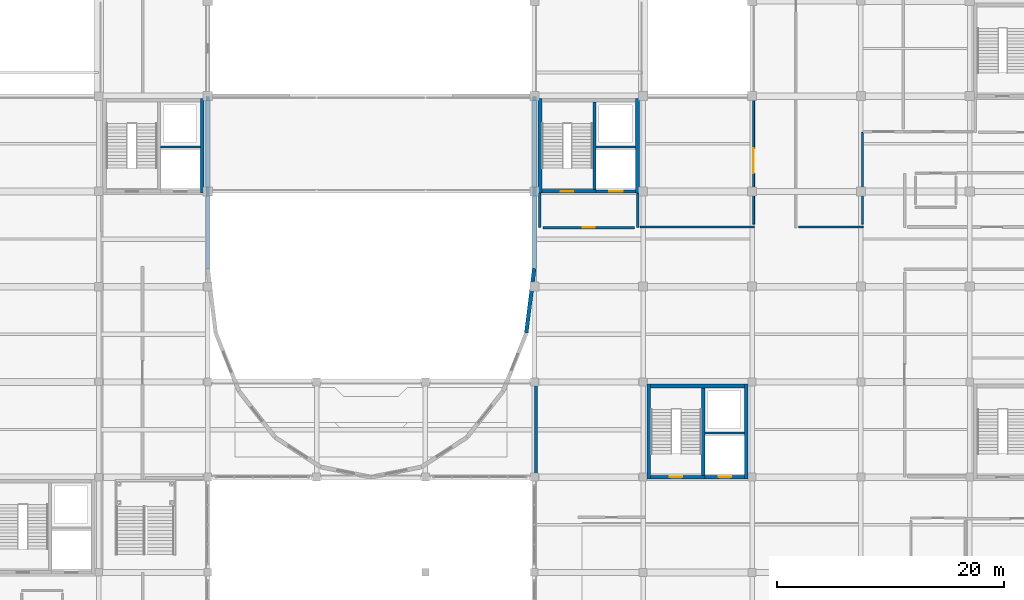
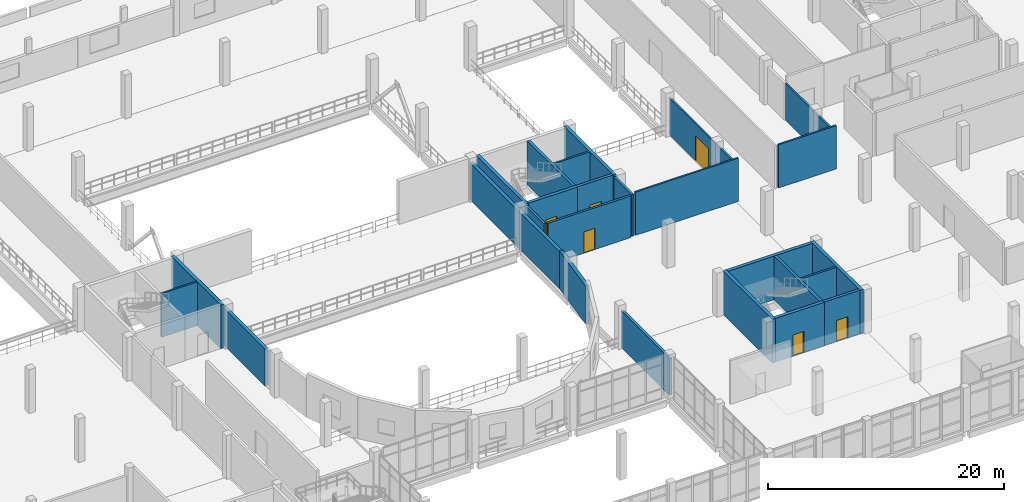
# One storey, part 90 of 102: 26 walls, 6 doors, 6 openings.
"""IFC4 building model written with IfcOpenShell, lengths in metres."""

from ifc_helpers import new_model, si_unit, direction, frame, frame_2d, origin, place, context, subcontext, project, spatial, rectangle, extrude, material, layer, layer_set, type_object, element, fill, save


model = new_model("IFC4")

# Units and contexts
model_context = context("Model", 3, precision=1e-05, world=origin(), true_north=direction((0.0, 1.0)))
body_context = subcontext(model_context, "Body", "Model", "MODEL_VIEW")
ifc_project = project(units=[si_unit("LENGTHUNIT", "METRE"), si_unit("AREAUNIT", "SQUARE_METRE"), si_unit("VOLUMEUNIT", "CUBIC_METRE"), si_unit("PLANEANGLEUNIT", "RADIAN"), si_unit("MASSUNIT", "GRAM", prefix="KILO")], contexts=[model_context])

# Site, building, storey
site_placement = place(None, origin())
site = spatial("IfcSite", under=ifc_project, at=site_placement, CompositionType="ELEMENT")
building_placement = place(site_placement, origin())
building = spatial("IfcBuilding", under=site, at=building_placement, Name="Lornevale Opera House", CompositionType="ELEMENT")
storey_placement = place(building_placement, frame((0.0, 0.0, 5.39990234375)))
storey = spatial("IfcBuildingStorey", under=building, at=storey_placement, Name="L02", CompositionType="ELEMENT", Elevation=5.39990234375)

# Wall
ifc_material_1 = material(Name="Acoustic Mineral-Core Gypsum Partition", Category="gypsum")
ifc_layer_1 = layer(ifc_material_1, 0.25)
ifc_layer_set_1 = layer_set([ifc_layer_1], Name="Acoustic Mineral-Core Gypsum Partition")
wall_type_1 = type_object("IfcWallType", Name="Auditorium Box-in-Box Liner 250", PredefinedType="SOLIDWALL", material=ifc_layer_set_1)
wall_1_placement = place(storey_placement, frame((96.139892578125, 33.69091796875, 0.0), z_axis=(0.0, 0.0, 1.0), x_axis=(0.0, 1.0, 0.0)))
element("IfcWall", 1, at=wall_1_placement, inside=storey, type_object=wall_type_1, Name="L02 Partition WL-INT-0773", PredefinedType="SOLIDWALL", context=body_context, shape_type="SweptSolid", body=[
    extrude(rectangle(XDim=8.218017578125, YDim=0.25, at=frame_2d((4.10888671875, 0.0))), origin(), (0.0, 0.0, 1.0), 3.820068359375),
])

# Wall, opening, door
ifc_material_2 = material(Name="Concrete 40 MPa (CSA A23.1 C-1)", Category="concrete")
ifc_layer_2 = layer(ifc_material_2, 0.320068359375)
ifc_layer_set_2 = layer_set([ifc_layer_2], Name="Concrete 40 MPa (CSA A23.1 C-1)")
wall_type_2 = type_object("IfcWallType", Name="Core Shear Wall 320", PredefinedType="SHEAR", material=ifc_layer_set_2)
wall_2_placement = place(storey_placement, frame((106.260009765625, 33.60009765625, 0.0), z_axis=(0.0, 0.0, 1.0), x_axis=(1.0, 0.0, 0.0)))
wall_2 = element("IfcWall", 2, at=wall_2_placement, inside=storey, type_object=wall_type_2, Name="South-East Foyer Core Core Shear Wall 320 WL-COR-0057", PredefinedType="SHEAR", context=body_context, shape_type="SweptSolid", body=[
    extrude(rectangle(XDim=4.780029296875, YDim=0.320068359375, at=frame_2d((2.39013671875, 0.0))), origin(), (0.0, 0.0, 1.0), 4.52001953125),
])
opening_1_placement = place(wall_2_placement, frame((1.68994140625, 0.0, 0.0)))
opening_1 = element("IfcOpeningElement", 3, at=opening_1_placement, cuts=wall_2, Name="Opening DR-T11", PredefinedType="OPENING", context=body_context, shape_type="SweptSolid", body=[
    extrude(rectangle(XDim=1.10009765625, YDim=2.199951171875, at=frame_2d((0.550048828125, 1.10009765625))), frame((0.0, 0.169921875, 0.0), z_axis=(0.0, -1.0, 0.0), x_axis=(1.0, 0.0, 0.0)), (0.0, 0.0, 1.0), 0.340087890625),
])
ifc_material_3 = material(Name="Painted Hollow Metal Door Steel", Category="steel")
ifc_layer_3 = layer(ifc_material_3, 2.199951171875)
ifc_layer_set_3 = layer_set([ifc_layer_3], Name="Painted Hollow Metal Door Steel")
door_type_1 = type_object("IfcDoorType", Name="Protected Exit Stair Door R 1100x2200", OperationType="NOTDEFINED", PredefinedType="DOOR", material=ifc_layer_set_3)
door_1_placement = place(opening_1_placement, origin())
door_1 = element("IfcDoor", 4, at=door_1_placement, inside=storey, type_object=door_type_1, Name="C2 Stair Door L02", OperationType="SINGLE_SWING_RIGHT", OverallHeight=2.199951171875, OverallWidth=1.10009765625, PredefinedType="DOOR", context=body_context, shape_type="SweptSolid", body=[
    extrude(rectangle(XDim=1.10009765625, YDim=2.199951171875, at=frame_2d((0.550048828125, 1.10009765625))), frame((0.0, 0.02490234375, 0.0), z_axis=(0.0, -1.0, 0.0), x_axis=(1.0, 0.0, 0.0)), (0.0, 0.0, 1.0), 0.050048828125),
])
fill(opening_1, door_1)

# Walls
wall_3_placement = place(storey_placement, frame((114.5400390625, 41.639892578125, 0.0), z_axis=(0.0, 0.0, 1.0), x_axis=(-1.0, 0.0, 0.0)))
element("IfcWall", 5, at=wall_3_placement, inside=storey, type_object=wall_type_2, Name="South-East Foyer Core Core Shear Wall 320 WL-COR-0059", PredefinedType="SHEAR", context=body_context, shape_type="SweptSolid", body=[
    extrude(rectangle(XDim=8.280029296875, YDim=0.320068359375, at=frame_2d((4.14013671875, 0.0))), origin(), (0.0, 0.0, 1.0), 4.52001953125),
])
for number, where, z_axis, x_axis, name in (
    (6, (106.10009765625, 41.800048828125, 0.0), (0.0, 0.0, 1.0), (0.0, -1.0, 0.0), "South-East Foyer Core Core Shear Wall 320 WL-COR-0060"),
    (7, (114.699951171875, 33.43994140625, 0.0), (0.0, 0.0, 1.0), (0.0, 1.0, 0.0), "South-East Foyer Core Core Shear Wall 320 WL-COR-0061"),
    (8, (66.699951171875, 58.639892578125, 0.0), (0.0, 0.0, 1.0), (0.0, 1.0, 0.0), "Auditorium West Tier Core Core Shear Wall 320 WL-COR-0173"),
):
    element("IfcWall", number, at=place(storey_placement, frame(where, z_axis=z_axis, x_axis=x_axis)), inside=storey, type_object=wall_type_2, Name=name, PredefinedType="SHEAR", context=body_context, shape_type="SweptSolid", body=[
        extrude(rectangle(XDim=8.360107421875, YDim=0.320068359375, at=frame_2d((4.18017578125, 0.0))), origin(), (0.0, 0.0, 1.0), 4.52001953125),
    ])

# Wall, opening, door
wall_4_placement = place(storey_placement, frame((96.659912109375, 58.800048828125, 0.0), z_axis=(0.0, 0.0, 1.0), x_axis=(1.0, 0.0, 0.0)))
wall_4 = element("IfcWall", 9, at=wall_4_placement, inside=storey, type_object=wall_type_2, Name="Stagehouse Firefighter Core West Core Shear Wall 320 WL-COR-0218", PredefinedType="SHEAR", context=body_context, shape_type="SweptSolid", body=[
    extrude(rectangle(XDim=4.780029296875, YDim=0.320068359375, at=frame_2d((2.39013671875, 0.0))), origin(), (0.0, 0.0, 1.0), 4.52001953125),
])
opening_2_placement = place(wall_4_placement, frame((1.68994140625, 0.0, 0.0)))
opening_2 = element("IfcOpeningElement", 10, at=opening_2_placement, cuts=wall_4, Name="Opening DR-T11", PredefinedType="OPENING", context=body_context, shape_type="SweptSolid", body=[
    extrude(rectangle(XDim=1.10009765625, YDim=2.199951171875, at=frame_2d((0.550048828125, 1.10009765625))), frame((0.0, 0.169921875, 0.0), z_axis=(0.0, -1.0, 0.0), x_axis=(1.0, 0.0, 0.0)), (0.0, 0.0, 1.0), 0.340087890625),
])
door_2_placement = place(opening_2_placement, origin())
door_2 = element("IfcDoor", 11, at=door_2_placement, inside=storey, type_object=door_type_1, Name="C6 Stair Door L02", OperationType="SINGLE_SWING_RIGHT", OverallHeight=2.199951171875, OverallWidth=1.10009765625, PredefinedType="DOOR", context=body_context, shape_type="SweptSolid", body=[
    extrude(rectangle(XDim=1.10009765625, YDim=2.199951171875, at=frame_2d((0.550048828125, 1.10009765625))), frame((0.0, 0.02490234375, 0.0), z_axis=(0.0, -1.0, 0.0), x_axis=(1.0, 0.0, 0.0)), (0.0, 0.0, 1.0), 0.050048828125),
])
fill(opening_2, door_2)

# Walls
for number, where, z_axis, x_axis, name in (
    (12, (96.5, 67.0, 0.0), (0.0, 0.0, 1.0), (0.0, -1.0, 0.0), "Stagehouse Firefighter Core West Core Shear Wall 320 WL-COR-0221"),
    (13, (105.10009765625, 58.639892578125, 0.0), (0.0, 0.0, 1.0), (0.0, 1.0, 0.0), "Stagehouse Firefighter Core West Core Shear Wall 320 WL-COR-0222"),
):
    element("IfcWall", number, at=place(storey_placement, frame(where, z_axis=z_axis, x_axis=x_axis)), inside=storey, type_object=wall_type_2, Name=name, PredefinedType="SHEAR", context=body_context, shape_type="SweptSolid", body=[
        extrude(rectangle(XDim=8.360107421875, YDim=0.320068359375, at=frame_2d((4.18017578125, 0.0))), origin(), (0.0, 0.0, 1.0), 4.52001953125),
    ])
ifc_layer_4 = layer(ifc_material_1, 0.1650390625)
ifc_layer_set_4 = layer_set([ifc_layer_4], Name="Acoustic Mineral-Core Gypsum Partition")
wall_type_3 = type_object("IfcWallType", Name="Corridor Rated Partition 165", PredefinedType="PARTITIONING", material=ifc_layer_set_4)
wall_5_placement = place(storey_placement, frame((105.35009765625, 55.659912109375, 0.0), z_axis=(0.0, 0.0, 1.0), x_axis=(1.0, 0.0, 0.0)))
element("IfcWall", 14, at=wall_5_placement, inside=storey, type_object=wall_type_3, Name="L02 Partition WL-INT-0774", PredefinedType="PARTITIONING", context=body_context, shape_type="SweptSolid", body=[
    extrude(rectangle(XDim=10.0498046875, YDim=0.1650390625, at=frame_2d((5.02490234375, 0.0))), origin(), (0.0, 0.0, 1.0), 4.47998046875),
])

# Wall, opening, door
wall_6_placement = place(storey_placement, frame((115.340087890625, 55.909912109375, 0.0), z_axis=(0.0, 0.0, 1.0), x_axis=(0.0, 1.0, 0.0)))
wall_6 = element("IfcWall", 15, at=wall_6_placement, inside=storey, type_object=wall_type_3, Name="L02 Partition WL-INT-0775", PredefinedType="PARTITIONING", context=body_context, shape_type="SweptSolid", body=[
    extrude(rectangle(XDim=11.198974609375, YDim=0.1650390625, at=frame_2d((5.599609375, 0.0))), origin(), (0.0, 0.0, 1.0), 3.820068359375),
])
opening_3_placement = place(wall_6_placement, frame((4.4990234375, 0.0, 0.0)))
opening_3 = element("IfcOpeningElement", 16, at=opening_3_placement, cuts=wall_6, Name="Opening DR-T17", PredefinedType="OPENING", context=body_context, shape_type="SweptSolid", body=[
    extrude(rectangle(XDim=2.199951171875, YDim=2.60009765625, at=frame_2d((1.10009765625, 1.300048828125))), frame((0.0, 0.092529296875, 0.0), z_axis=(0.0, -1.0, 0.0), x_axis=(1.0, 0.0, 0.0)), (0.0, 0.0, 1.0), 0.18505859375),
])
ifc_layer_5 = layer(ifc_material_3, 2.60009765625)
ifc_layer_set_5 = layer_set([ifc_layer_5], Name="Painted Hollow Metal Door Steel")
door_type_2 = type_object("IfcDoorType", Name="Workshop Acoustic Pair 2200x2600", OperationType="NOTDEFINED", PredefinedType="DOOR", material=ifc_layer_set_5)
door_3_placement = place(opening_3_placement, origin())
door_3 = element("IfcDoor", 17, at=door_3_placement, inside=storey, type_object=door_type_2, Name="Scenic Backdrop Atelier Door", OperationType="DOUBLE_SWING_LEFT", OverallHeight=2.60009765625, OverallWidth=2.199951171875, PredefinedType="DOOR", context=body_context, shape_type="SweptSolid", body=[
    extrude(rectangle(XDim=2.199951171875, YDim=2.60009765625, at=frame_2d((1.10009765625, 1.300048828125))), frame((0.0, 0.02490234375, 0.0), z_axis=(0.0, -1.0, 0.0), x_axis=(1.0, 0.0, 0.0)), (0.0, 0.0, 1.0), 0.050048828125),
])
fill(opening_3, door_3)

# Walls
wall_7_placement = place(storey_placement, frame((119.31005859375, 55.659912109375, 0.0), z_axis=(0.0, 0.0, 1.0), x_axis=(1.0, 0.0, 0.0)))
element("IfcWall", 18, at=wall_7_placement, inside=storey, type_object=wall_type_3, Name="L02 Partition WL-INT-0777", PredefinedType="PARTITIONING", context=body_context, shape_type="SweptSolid", body=[
    extrude(rectangle(XDim=5.68994140625, YDim=0.1650390625, at=frame_2d((2.844970703125, 0.0))), origin(), (0.0, 0.0, 1.0), 4.47998046875),
])
wall_8_placement = place(storey_placement, frame((124.93994140625, 55.909912109375, 0.0), z_axis=(0.0, 0.0, 1.0), x_axis=(0.0, 1.0, 0.0)))
element("IfcWall", 19, at=wall_8_placement, inside=storey, type_object=wall_type_3, Name="L02 Partition WL-INT-0778", PredefinedType="PARTITIONING", context=body_context, shape_type="SweptSolid", body=[
    extrude(rectangle(XDim=8.090087890625, YDim=0.1650390625, at=frame_2d((4.044921875, 0.0))), origin(), (0.0, 0.0, 1.0), 3.820068359375),
])

# Wall, opening, door
ifc_layer_6 = layer(ifc_material_2, 0.280029296875)
ifc_layer_set_6 = layer_set([ifc_layer_6], Name="Concrete 40 MPa (CSA A23.1 C-1)")
wall_type_4 = type_object("IfcWallType", Name="Elevator Shaft Wall 280", PredefinedType="SHEAR", material=ifc_layer_set_6)
wall_9_placement = place(storey_placement, frame((111.0400390625, 33.60009765625, 0.0), z_axis=(0.0, 0.0, 1.0), x_axis=(1.0, 0.0, 0.0)))
wall_9 = element("IfcWall", 20, at=wall_9_placement, inside=storey, type_object=wall_type_4, Name="South-East Foyer Core Elevator Shaft Wall 280 WL-COR-0058", PredefinedType="SHEAR", context=body_context, shape_type="SweptSolid", body=[
    extrude(rectangle(XDim=3.5, YDim=0.280029296875, at=frame_2d((1.75, 0.0))), origin(), (0.0, 0.0, 1.0), 4.52001953125),
])
opening_4_placement = place(wall_9_placement, frame((1.2099609375, 0.0, 0.0)))
opening_4 = element("IfcOpeningElement", 21, at=opening_4_placement, cuts=wall_9, Name="Opening DR-T25", PredefinedType="OPENING", context=body_context, shape_type="SweptSolid", body=[
    extrude(rectangle(XDim=1.10009765625, YDim=2.199951171875, at=frame_2d((0.550048828125, 1.10009765625))), frame((0.0, 0.14990234375, 0.0), z_axis=(0.0, -1.0, 0.0), x_axis=(1.0, 0.0, 0.0)), (0.0, 0.0, 1.0), 0.300048828125),
])
ifc_layer_7 = layer(ifc_material_3, 2.199951171875)
ifc_layer_set_7 = layer_set([ifc_layer_7], Name="Painted Hollow Metal Door Steel")
door_type_3 = type_object("IfcDoorType", Name="Passenger Lift Landing Door 1100x2200", OperationType="NOTDEFINED", PredefinedType="DOOR", material=ifc_layer_set_7)
door_4_placement = place(opening_4_placement, origin())
door_4 = element("IfcDoor", 22, at=door_4_placement, inside=storey, type_object=door_type_3, Name="L-P2 Landing Door L02", OperationType="SLIDING_TO_LEFT", OverallHeight=2.199951171875, OverallWidth=1.10009765625, PredefinedType="DOOR", context=body_context, shape_type="SweptSolid", body=[
    extrude(rectangle(XDim=1.10009765625, YDim=2.199951171875, at=frame_2d((0.550048828125, 1.10009765625))), frame((0.0, 0.02490234375, 0.0), z_axis=(0.0, -1.0, 0.0), x_axis=(1.0, 0.0, 0.0)), (0.0, 0.0, 1.0), 0.050048828125),
])
fill(opening_4, door_4)

# Wall
wall_10_placement = place(storey_placement, frame((110.89990234375, 33.760009765625, 0.0), z_axis=(0.0, 0.0, 1.0), x_axis=(0.0, 1.0, 0.0)))
element("IfcWall", 23, at=wall_10_placement, inside=storey, type_object=wall_type_4, Name="South-East Foyer Core Elevator Shaft Wall 280 WL-COR-0062", PredefinedType="SHEAR", context=body_context, shape_type="SweptSolid", body=[
    extrude(rectangle(XDim=7.719970703125, YDim=0.280029296875, at=frame_2d((3.85986328125, 0.0))), origin(), (0.0, 0.0, 1.0), 4.52001953125),
])

# Wall, opening, door
wall_11_placement = place(storey_placement, frame((101.43994140625, 58.800048828125, 0.0), z_axis=(0.0, 0.0, 1.0), x_axis=(1.0, 0.0, 0.0)))
wall_11 = element("IfcWall", 24, at=wall_11_placement, inside=storey, type_object=wall_type_4, Name="Stagehouse Firefighter Core West Elevator Shaft Wall 280 WL-COR-0219", PredefinedType="SHEAR", context=body_context, shape_type="SweptSolid", body=[
    extrude(rectangle(XDim=3.5, YDim=0.280029296875, at=frame_2d((1.75, 0.0))), origin(), (0.0, 0.0, 1.0), 4.52001953125),
])
opening_5_placement = place(wall_11_placement, frame((1.159912109375, 0.0, 0.0)))
opening_5 = element("IfcOpeningElement", 25, at=opening_5_placement, cuts=wall_11, Name="Opening DR-T26", PredefinedType="OPENING", context=body_context, shape_type="SweptSolid", body=[
    extrude(rectangle(XDim=1.199951171875, YDim=2.199951171875, at=frame_2d((0.60009765625, 1.10009765625))), frame((0.0, 0.14990234375, 0.0), z_axis=(0.0, -1.0, 0.0), x_axis=(1.0, 0.0, 0.0)), (0.0, 0.0, 1.0), 0.300048828125),
])
ifc_layer_8 = layer(ifc_material_3, 2.199951171875)
ifc_layer_set_8 = layer_set([ifc_layer_8], Name="Painted Hollow Metal Door Steel")
door_type_4 = type_object("IfcDoorType", Name="Firefighter Lift Landing Door 1200x2200", OperationType="NOTDEFINED", PredefinedType="DOOR", material=ifc_layer_set_8)
door_5_placement = place(opening_5_placement, origin())
door_5 = element("IfcDoor", 26, at=door_5_placement, inside=storey, type_object=door_type_4, Name="L-FF1 Landing Door L02", OperationType="SLIDING_TO_RIGHT", OverallHeight=2.199951171875, OverallWidth=1.199951171875, PredefinedType="DOOR", context=body_context, shape_type="SweptSolid", body=[
    extrude(rectangle(XDim=1.199951171875, YDim=2.199951171875, at=frame_2d((0.60009765625, 1.10009765625))), frame((0.0, 0.02490234375, 0.0), z_axis=(0.0, -1.0, 0.0), x_axis=(1.0, 0.0, 0.0)), (0.0, 0.0, 1.0), 0.050048828125),
])
fill(opening_5, door_5)

# Walls
wall_12_placement = place(storey_placement, frame((101.300048828125, 58.9599609375, 0.0), z_axis=(0.0, 0.0, 1.0), x_axis=(0.0, 1.0, 0.0)))
element("IfcWall", 27, at=wall_12_placement, inside=storey, type_object=wall_type_4, Name="Stagehouse Firefighter Core West Elevator Shaft Wall 280 WL-COR-0223", PredefinedType="SHEAR", context=body_context, shape_type="SweptSolid", body=[
    extrude(rectangle(XDim=7.719970703125, YDim=0.280029296875, at=frame_2d((3.85986328125, 0.0))), origin(), (0.0, 0.0, 1.0), 4.52001953125),
])
ifc_material_4 = material(Name="Concrete 35 MPa (CSA A23.1 N)", Category="concrete")
ifc_layer_9 = layer(ifc_material_4, 0.219970703125)
ifc_layer_set_9 = layer_set([ifc_layer_9], Name="Concrete 35 MPa (CSA A23.1 N)")
wall_type_5 = type_object("IfcWallType", Name="Firefighter Vestibule Wall 220", PredefinedType="SOLIDWALL", material=ifc_layer_set_9)
for number, where, z_axis, x_axis, name in (
    (28, (96.5, 55.60009765625, 0.0), (0.0, 0.0, 1.0), (0.0, 1.0, 0.0), "C6 Vestibule West Wall WL-INT-0394"),
    (29, (105.10009765625, 55.60009765625, 0.0), (0.0, 0.0, 1.0), (0.0, 1.0, 0.0), "C6 Vestibule East Wall WL-INT-0395"),
):
    element("IfcWall", number, at=place(storey_placement, frame(where, z_axis=z_axis, x_axis=x_axis)), inside=storey, type_object=wall_type_5, Name=name, PredefinedType="SOLIDWALL", context=body_context, shape_type="SweptSolid", body=[
        extrude(rectangle(XDim=3.039794921875, YDim=0.219970703125, at=frame_2d((1.52001953125, 0.0))), origin(), (0.0, 0.0, 1.0), 4.320068359375),
    ])

# Wall, opening, door
wall_13_placement = place(storey_placement, frame((96.75, 55.60009765625, 0.0), z_axis=(0.0, 0.0, 1.0), x_axis=(1.0, 0.0, 0.0)))
wall_13 = element("IfcWall", 30, at=wall_13_placement, inside=storey, type_object=wall_type_5, Name="C6 Vestibule South Wall WL-INT-0396", PredefinedType="SOLIDWALL", context=body_context, shape_type="SweptSolid", body=[
    extrude(rectangle(XDim=8.10009765625, YDim=0.219970703125, at=frame_2d((4.050048828125, 0.0))), origin(), (0.0, 0.0, 1.0), 4.320068359375),
])
opening_6_placement = place(wall_13_placement, frame((3.5, 0.0, 0.0)))
opening_6 = element("IfcOpeningElement", 31, at=opening_6_placement, cuts=wall_13, Name="Opening DR-T13", PredefinedType="OPENING", context=body_context, shape_type="SweptSolid", body=[
    extrude(rectangle(XDim=1.10009765625, YDim=2.199951171875, at=frame_2d((0.550048828125, 1.10009765625))), frame((0.0, 0.119873046875, 0.0), z_axis=(0.0, -1.0, 0.0), x_axis=(1.0, 0.0, 0.0)), (0.0, 0.0, 1.0), 0.239990234375),
])
ifc_layer_10 = layer(ifc_material_3, 2.199951171875)
ifc_layer_set_10 = layer_set([ifc_layer_10], Name="Painted Hollow Metal Door Steel")
door_type_5 = type_object("IfcDoorType", Name="Firefighter Vestibule Door 1100x2200", OperationType="NOTDEFINED", PredefinedType="DOOR", material=ifc_layer_set_10)
door_6_placement = place(opening_6_placement, origin())
door_6 = element("IfcDoor", 32, at=door_6_placement, inside=storey, type_object=door_type_5, Name="C6 Firefighter Vestibule Door L02", OperationType="SINGLE_SWING_LEFT", OverallHeight=2.199951171875, OverallWidth=1.10009765625, PredefinedType="DOOR", context=body_context, shape_type="SweptSolid", body=[
    extrude(rectangle(XDim=1.10009765625, YDim=2.199951171875, at=frame_2d((0.550048828125, 1.10009765625))), frame((0.0, 0.02490234375, 0.0), z_axis=(0.0, -1.0, 0.0), x_axis=(1.0, 0.0, 0.0)), (0.0, 0.0, 1.0), 0.050048828125),
])
fill(opening_6, door_6)

# Walls
ifc_material_5 = material(Name="Credit Valley Sandstone Ashlar Masonry (25 MPa)", Category="masonry")
ifc_layer_11 = layer(ifc_material_5, 0.340087890625)
ifc_layer_set_11 = layer_set([ifc_layer_11], Name="Credit Valley Sandstone Ashlar Masonry (25 MPa)")
wall_type_6 = type_object("IfcWallType", Name="Polychrome Drum Cavity Wall 340", PredefinedType="SOLIDWALL", material=ifc_layer_set_11)
wall_14_placement = place(storey_placement, frame((67.199951171875, 67.169921875, 0.0), z_axis=(0.0, 0.0, 1.0), x_axis=(0.0, -1.0, 0.0)))
element("IfcWall", 33, at=wall_14_placement, inside=storey, type_object=wall_type_6, Name="Auditorium Horseshoe Drum Wall WL-DRM-0336", PredefinedType="SOLIDWALL", context=body_context, shape_type="SweptSolid", body=[
    extrude(rectangle(XDim=15.157958984375, YDim=0.340087890625, at=frame_2d((7.5791015625, 0.0))), origin(), (0.0, 0.0, 1.0), 3.820068359375),
])
wall_15_placement = place(storey_placement, frame((95.29638671875, 46.325927734375, 0.0), z_axis=(0.0, 0.0, 1.0), x_axis=(0.123065633968, 0.992398533723, 0.0)))
element("IfcWall", 34, at=wall_15_placement, inside=storey, type_object=wall_type_6, Name="Auditorium Horseshoe Drum Wall WL-DRM-0346", PredefinedType="SOLIDWALL", context=body_context, shape_type="SweptSolid", body=[
    extrude(rectangle(XDim=5.70556640625, YDim=0.340087890625, at=frame_2d((2.852783203125, 0.0))), origin(), (0.0, 0.0, 1.0), 3.920166015625),
])
wall_16_placement = place(storey_placement, frame((96.0, 52.011962890625, 0.0), z_axis=(0.0, 0.0, 1.0), x_axis=(0.0, 1.0, 0.0)))
element("IfcWall", 35, at=wall_16_placement, inside=storey, type_object=wall_type_6, Name="Auditorium Horseshoe Drum Wall WL-DRM-0347", PredefinedType="SOLIDWALL", context=body_context, shape_type="SweptSolid", body=[
    extrude(rectangle(XDim=15.157958984375, YDim=0.340087890625, at=frame_2d((7.5791015625, 0.0))), origin(), (0.0, 0.0, 1.0), 3.820068359375),
])
ifc_material_6 = material(Name="Moisture-Resistant Ceramic & Gypsum Partition", Category="gypsum")
ifc_layer_12 = layer(ifc_material_6, 0.179931640625)
ifc_layer_set_12 = layer_set([ifc_layer_12], Name="Moisture-Resistant Ceramic & Gypsum Partition")
wall_type_7 = type_object("IfcWallType", Name="Riser Shaft Wall 180", PredefinedType="SOLIDWALL", material=ifc_layer_set_12)
for number, where, z_axis, x_axis, name in (
    (36, (111.0400390625, 37.5, 0.0), (0.0, 0.0, 1.0), (1.0, 0.0, 0.0), "South-East Foyer Core Riser Shaft Wall 180 WL-COR-0063"),
    (37, (63.0400390625, 62.699951171875, 0.0), (0.0, 0.0, 1.0), (1.0, 0.0, 0.0), "Auditorium West Tier Core Riser Shaft Wall 180 WL-COR-0175"),
    (38, (101.43994140625, 62.699951171875, 0.0), (0.0, 0.0, 1.0), (1.0, 0.0, 0.0), "Stagehouse Firefighter Core West Riser Shaft Wall 180 WL-COR-0224"),
):
    element("IfcWall", number, at=place(storey_placement, frame(where, z_axis=z_axis, x_axis=x_axis)), inside=storey, type_object=wall_type_7, Name=name, PredefinedType="SOLIDWALL", context=body_context, shape_type="SweptSolid", body=[
        extrude(rectangle(XDim=3.5, YDim=0.179931640625, at=frame_2d((1.75, 0.0))), origin(), (0.0, 0.0, 1.0), 4.52001953125),
    ])

save(model, "model.ifc")
